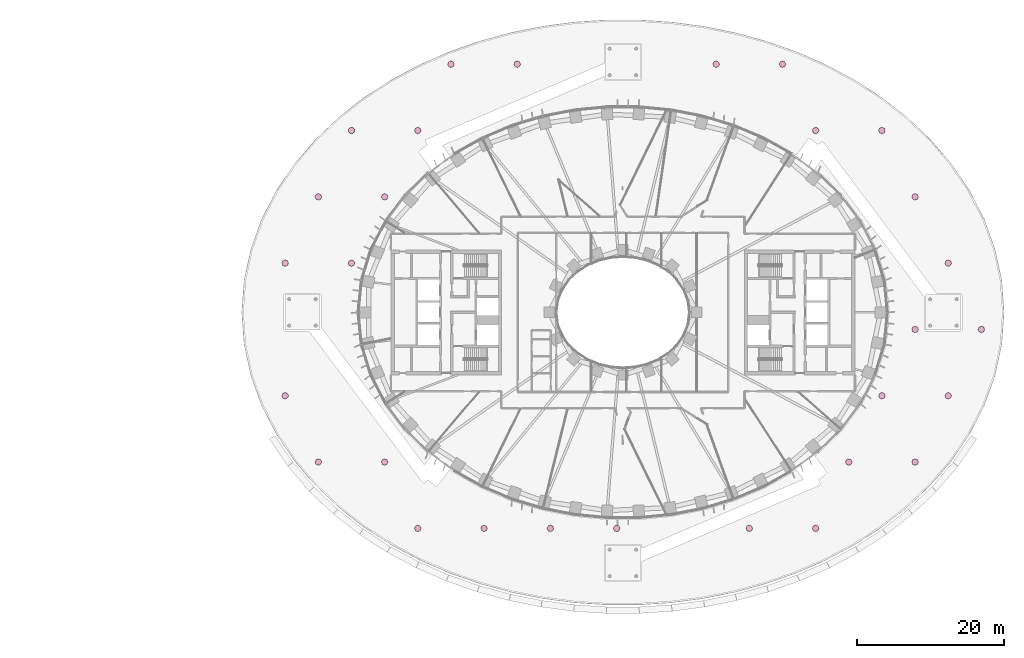
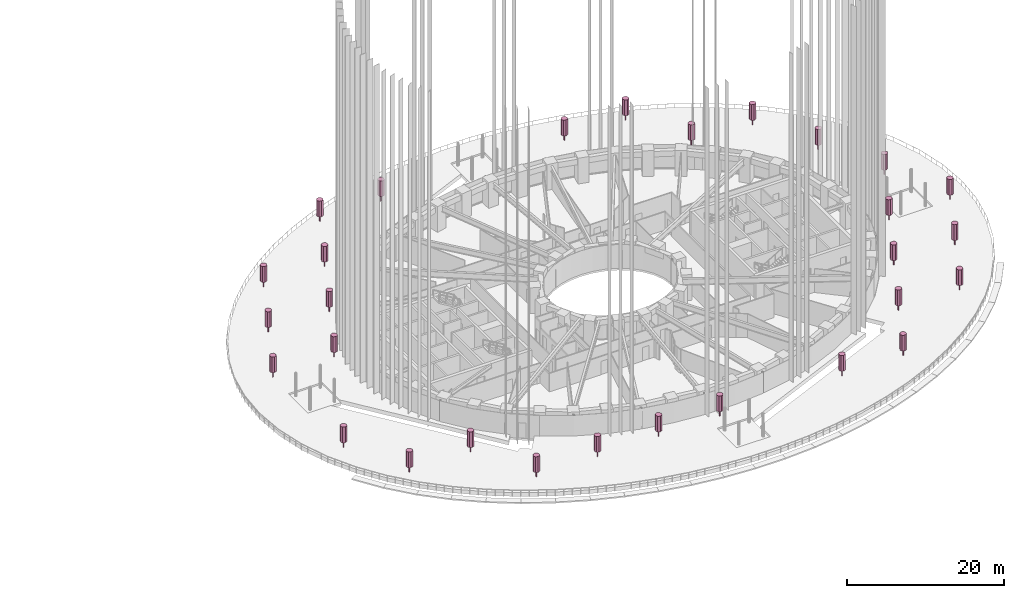
# One storey, part 30 of 30: 29 furnishings.
"""IFC4 building model written with IfcOpenShell, lengths in metres."""

from ifc_helpers import new_model, si_unit, direction, frame, origin, origin_2d, place, context, subcontext, project, spatial, polyline, rectangle, outline, extrude, material, type_object, element, save


model = new_model("IFC4")

# Units and contexts
model_context = context("Model", 3, precision=1e-05, world=origin(), true_north=direction((0.0, 1.0)))
body_context = subcontext(model_context, "Body", "Model", "MODEL_VIEW")
ifc_project = project(units=[si_unit("LENGTHUNIT", "METRE"), si_unit("AREAUNIT", "SQUARE_METRE"), si_unit("VOLUMEUNIT", "CUBIC_METRE"), si_unit("PLANEANGLEUNIT", "RADIAN"), si_unit("MASSUNIT", "GRAM", prefix="KILO")], contexts=[model_context])

# Site, building, storey
site_placement = place(None, origin())
site = spatial("IfcSite", under=ifc_project, at=site_placement, CompositionType="ELEMENT")
building_placement = place(site_placement, origin())
building = spatial("IfcBuilding", under=site, at=building_placement, Name="Noorbagh Ring Tower", CompositionType="ELEMENT")
storey_placement = place(building_placement, frame((0.0, 0.0, 30.5)))
storey = spatial("IfcBuildingStorey", under=building, at=storey_placement, Name="L05", CompositionType="ELEMENT", Elevation=30.5)

# Furnishings
ifc_material = material(Name="Planting foliage green")
furnishing_element_type = type_object("IfcFurnishingElementType", Name="ENV-TREE", material=ifc_material)
for number, where, z_axis, x_axis, name in (
    (1, (-27.845703125, -29.314208984375, 0.60009765625), (0.0, 0.0, 1.0), (1.0, 0.0, 0.0), "Tree terrace bed 01-01"),
    (2, (-18.845703125, -29.314208984375, 0.60009765625), (0.0, 0.0, 1.0), (1.0, 0.0, 0.0), "Tree terrace bed 01-02"),
    (3, (-9.845703125, -29.314208984375, 0.60009765625), (0.0, 0.0, 1.0), (1.0, 0.0, 0.0), "Tree terrace bed 01-03"),
    (4, (-0.845703125, -29.314208984375, 0.60009765625), (0.0, 0.0, 1.0), (1.0, 0.0, 0.0), "Tree terrace bed 01-04"),
    (5, (17.154296875, -29.314208984375, 0.60009765625), (0.0, 0.0, 1.0), (1.0, 0.0, 0.0), "Tree terrace bed 01-05"),
    (6, (26.154296875, -29.314208984375, 0.60009765625), (0.0, 0.0, 1.0), (1.0, 0.0, 0.0), "Tree terrace bed 01-06"),
    (7, (-41.345703125, -20.314208984375, 0.60009765625), (0.0, 0.0, 1.0), (1.0, 0.0, 0.0), "Tree terrace bed 01-07"),
    (8, (-32.345703125, -20.314208984375, 0.60009765625), (0.0, 0.0, 1.0), (1.0, 0.0, 0.0), "Tree terrace bed 01-08"),
    (9, (30.654296875, -20.314208984375, 0.60009765625), (0.0, 0.0, 1.0), (1.0, 0.0, 0.0), "Tree terrace bed 01-09"),
    (10, (39.654296875, -20.314208984375, 0.60009765625), (0.0, 0.0, 1.0), (1.0, 0.0, 0.0), "Tree terrace bed 01-10"),
    (11, (-45.845703125, -11.314208984375, 0.60009765625), (0.0, 0.0, 1.0), (1.0, 0.0, 0.0), "Tree terrace bed 01-11"),
    (12, (35.154296875, -11.314208984375, 0.60009765625), (0.0, 0.0, 1.0), (1.0, 0.0, 0.0), "Tree terrace bed 01-12"),
    (13, (44.154296875, -11.314208984375, 0.60009765625), (0.0, 0.0, 1.0), (1.0, 0.0, 0.0), "Tree terrace bed 01-13"),
    (14, (39.654296875, -2.314208984375, 0.60009765625), (0.0, 0.0, 1.0), (1.0, 0.0, 0.0), "Tree terrace bed 01-14"),
    (15, (48.654296875, -2.314208984375, 0.60009765625), (0.0, 0.0, 1.0), (1.0, 0.0, 0.0), "Tree terrace bed 01-15"),
    (16, (-45.845703125, 6.685791015625, 0.60009765625), (0.0, 0.0, 1.0), (1.0, 0.0, 0.0), "Tree terrace bed 01-16"),
    (17, (-36.845703125, 6.685791015625, 0.60009765625), (0.0, 0.0, 1.0), (1.0, 0.0, 0.0), "Tree terrace bed 01-17"),
    (18, (44.154296875, 6.685791015625, 0.60009765625), (0.0, 0.0, 1.0), (1.0, 0.0, 0.0), "Tree terrace bed 01-18"),
    (19, (-41.345703125, 15.685791015625, 0.60009765625), (0.0, 0.0, 1.0), (1.0, 0.0, 0.0), "Tree terrace bed 01-19"),
    (20, (-32.345703125, 15.685791015625, 0.60009765625), (0.0, 0.0, 1.0), (1.0, 0.0, 0.0), "Tree terrace bed 01-20"),
    (21, (39.654296875, 15.685791015625, 0.60009765625), (0.0, 0.0, 1.0), (1.0, 0.0, 0.0), "Tree terrace bed 01-21"),
    (22, (-36.845703125, 24.685791015625, 0.60009765625), (0.0, 0.0, 1.0), (1.0, 0.0, 0.0), "Tree terrace bed 01-22"),
    (23, (-27.845703125, 24.685791015625, 0.60009765625), (0.0, 0.0, 1.0), (1.0, 0.0, 0.0), "Tree terrace bed 01-23"),
    (24, (26.154296875, 24.685791015625, 0.60009765625), (0.0, 0.0, 1.0), (1.0, 0.0, 0.0), "Tree terrace bed 01-24"),
    (25, (35.154296875, 24.685791015625, 0.60009765625), (0.0, 0.0, 1.0), (1.0, 0.0, 0.0), "Tree terrace bed 01-25"),
    (26, (-23.345703125, 33.685791015625, 0.60009765625), (0.0, 0.0, 1.0), (1.0, 0.0, 0.0), "Tree terrace bed 01-26"),
    (27, (-14.345703125, 33.685791015625, 0.60009765625), (0.0, 0.0, 1.0), (1.0, 0.0, 0.0), "Tree terrace bed 01-27"),
    (28, (12.654296875, 33.685791015625, 0.60009765625), (0.0, 0.0, 1.0), (1.0, 0.0, 0.0), "Tree terrace bed 01-28"),
    (29, (21.654296875, 33.685791015625, 0.60009765625), (0.0, 0.0, 1.0), (1.0, 0.0, 0.0), "Tree terrace bed 01-29"),
):
    element("IfcFurnishingElement", number, at=place(storey_placement, frame(where, z_axis=z_axis, x_axis=x_axis)), inside=storey, type_object=furnishing_element_type, Name=name, context=body_context, shape_type="SweptSolid", body=[
        extrude(rectangle(XDim=0.1201171875, YDim=0.1201171875, at=origin_2d()), origin(), (0.0, 0.0, 1.0), 0.951904296875),
        extrude(outline(polyline([(0.449951171875, 0.0), (0.318115234375, 0.318115234375), (0.0, 0.449951171875), (-0.318115234375, 0.318115234375), (-0.449951171875, 0.0), (-0.318115234375, -0.318115234375), (0.0, -0.449951171875), (0.318115234375, -0.318115234375), (0.449951171875, 0.0)])), frame((0.0, 0.0, 0.951904296875)), (0.0, 0.0, 1.0), 2.447998046875),
    ])

save(model, "model.ifc")
